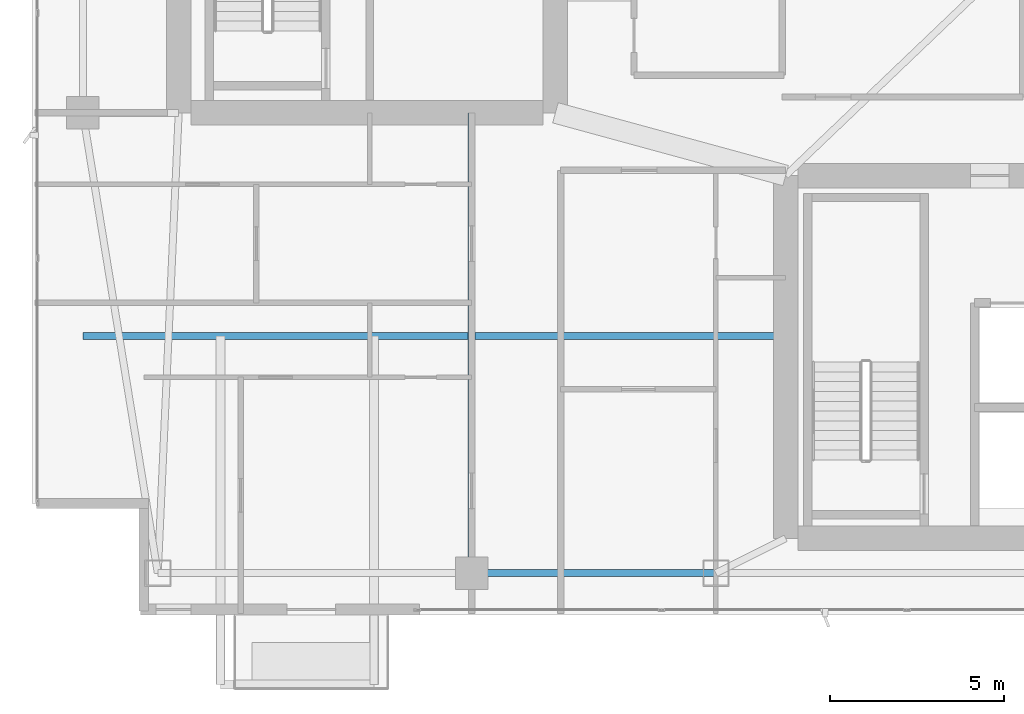
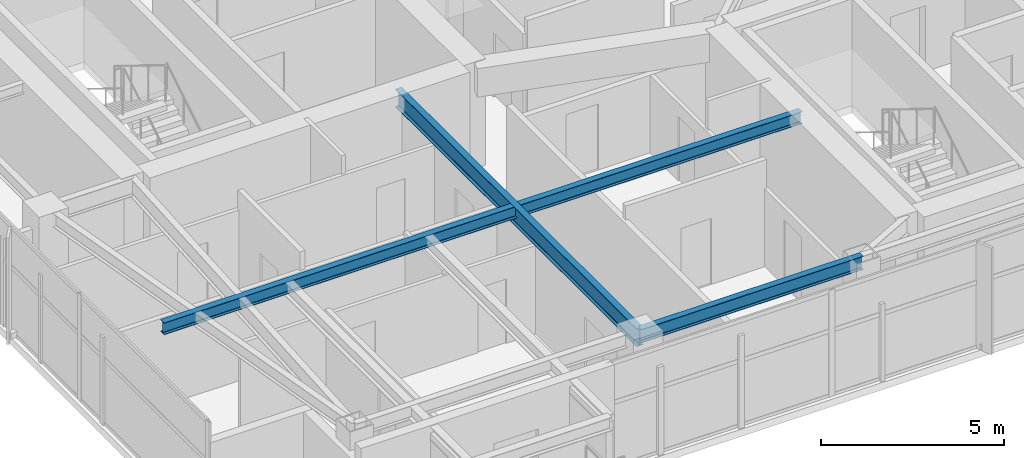
# One storey, part 5 of 27: 3 beams.
"""IFC4 building model written with IfcOpenShell, lengths in metres."""

from ifc_helpers import new_model, si_unit, direction, frame, origin, origin_2d, place, context, subcontext, project, spatial, i_section, extrude, material, material_profile, profile_set, type_object, element, save


model = new_model("IFC4")

# Units and contexts
model_context = context("Model", 3, precision=1e-05, world=origin(), true_north=direction((0.0, 1.0)))
body_context = subcontext(model_context, "Body", "Model", "MODEL_VIEW")
ifc_project = project(units=[si_unit("LENGTHUNIT", "METRE"), si_unit("AREAUNIT", "SQUARE_METRE"), si_unit("VOLUMEUNIT", "CUBIC_METRE"), si_unit("PLANEANGLEUNIT", "RADIAN"), si_unit("MASSUNIT", "GRAM", prefix="KILO")], contexts=[model_context])

# Site, building, storey
site_placement = place(None, origin())
site = spatial("IfcSite", under=ifc_project, at=site_placement, CompositionType="ELEMENT")
building_placement = place(site_placement, origin())
building = spatial("IfcBuilding", under=site, at=building_placement, Name="Calvorn Quay Hotel", CompositionType="ELEMENT")
storey_placement = place(building_placement, frame((0.0, 0.0, 226.89990234375)))
storey = spatial("IfcBuildingStorey", under=building, at=storey_placement, Name="L56", CompositionType="ELEMENT", Elevation=226.89990234375)

# Beams
ifc_material_1 = material(Name="Steel Q355B", Category="steel")
ifc_material_profile_1 = material_profile(ifc_material_1, i_section(OverallWidth=0.199951171875, OverallDepth=0.60009765625, WebThickness=0.010986328125, FlangeThickness=0.01708984375, FilletRadius=0.01806640625, at=origin_2d()), Name="HN600x200x11x17")
ifc_profile_set_1 = profile_set([ifc_material_profile_1], Name="Steel Q355B")
beam_type_1 = type_object("IfcBeamType", Name="BM-GIRD-TYP", PredefinedType="BEAM", material=ifc_profile_set_1)
beam_1_placement = place(storey_placement, frame((12.60009765625, 3.60009765625, 3.239990234375), z_axis=(0.0, 1.0, 0.0), x_axis=(-1.0, 0.0, 0.0)))
element("IfcBeam", 1, at=beam_1_placement, inside=storey, type_object=beam_type_1, Name="Beam BG-L56-S1", PredefinedType="BEAM", context=body_context, shape_type="SweptSolid", body=[
    extrude(i_section(OverallWidth=0.199951171875, OverallDepth=0.60009765625, WebThickness=0.010986328125, FlangeThickness=0.01708984375, FilletRadius=0.01806640625, at=origin_2d()), origin(), (0.0, 0.0, 1.0), 13.199951171875),
])
ifc_material_2 = material(Name="Steel Q355B", Category="steel")
ifc_material_profile_2 = material_profile(ifc_material_2, i_section(OverallWidth=0.199951171875, OverallDepth=0.39990234375, WebThickness=0.008056640625, FlangeThickness=0.012939453125, FilletRadius=0.01611328125, at=origin_2d()), Name="HN400x200x8x13")
ifc_profile_set_2 = profile_set([ifc_material_profile_2], Name="Steel Q355B")
beam_type_2 = type_object("IfcBeamType", Name="BM-JOIST-TYP", PredefinedType="JOIST", material=ifc_profile_set_2)
beam_2_placement = place(storey_placement, frame((1.449951171875, 10.39990234375, 3.340087890625), z_axis=(1.0, 0.0, 0.0), x_axis=(0.0, 1.0, 0.0)))
element("IfcBeam", 2, at=beam_2_placement, inside=storey, type_object=beam_type_2, Name="Beam BJ-L56-W1", PredefinedType="JOIST", context=body_context, shape_type="SweptSolid", body=[
    extrude(i_section(OverallWidth=0.199951171875, OverallDepth=0.39990234375, WebThickness=0.008056640625, FlangeThickness=0.012939453125, FilletRadius=0.01611328125, at=origin_2d()), origin(), (0.0, 0.0, 1.0), 20.150146484375),
])
ifc_material_3 = material(Name="Steel Q355B", Category="steel")
ifc_material_profile_3 = material_profile(ifc_material_3, i_section(OverallWidth=0.199951171875, OverallDepth=0.449951171875, WebThickness=0.009033203125, FlangeThickness=0.013916015625, FilletRadius=0.01611328125, at=origin_2d()), Name="HN450x200x9x14")
ifc_profile_set_3 = profile_set([ifc_material_profile_3], Name="Steel Q355B")
beam_type_3 = type_object("IfcBeamType", Name="BM-SPANDREL-Z3", PredefinedType="SPANDREL", material=ifc_profile_set_3)
beam_3_placement = place(storey_placement, frame((12.60009765625, 3.60009765625, 3.315185546875), z_axis=(1.0, 0.0, 0.0), x_axis=(0.0, 1.0, 0.0)))
element("IfcBeam", 3, at=beam_3_placement, inside=storey, type_object=beam_type_3, Name="Beam BSP-L56-S2", PredefinedType="SPANDREL", context=body_context, shape_type="SweptSolid", body=[
    extrude(i_section(OverallWidth=0.199951171875, OverallDepth=0.449951171875, WebThickness=0.009033203125, FlangeThickness=0.013916015625, FilletRadius=0.01611328125, at=origin_2d()), origin(), (0.0, 0.0, 1.0), 7.0),
])

save(model, "model.ifc")
